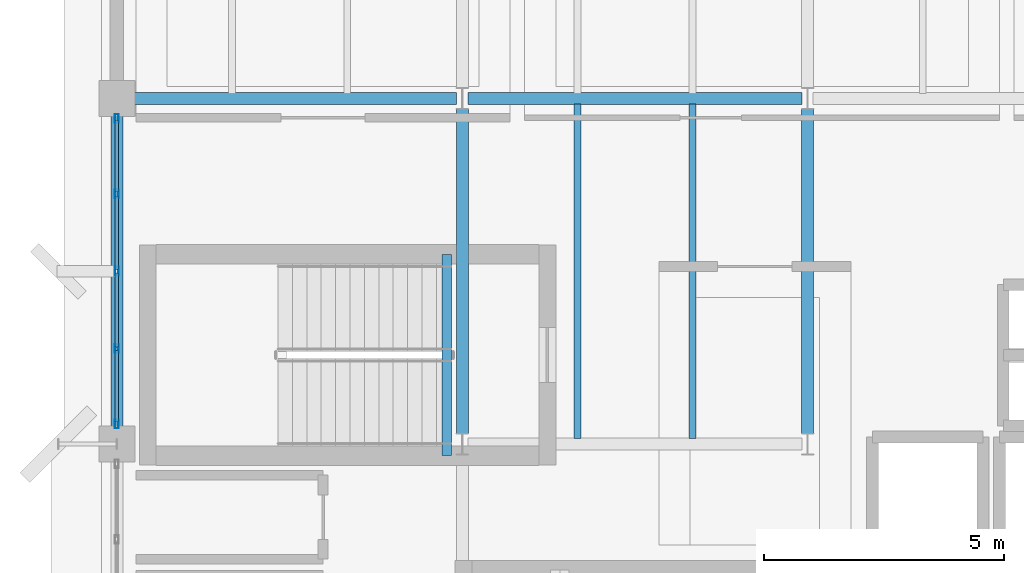
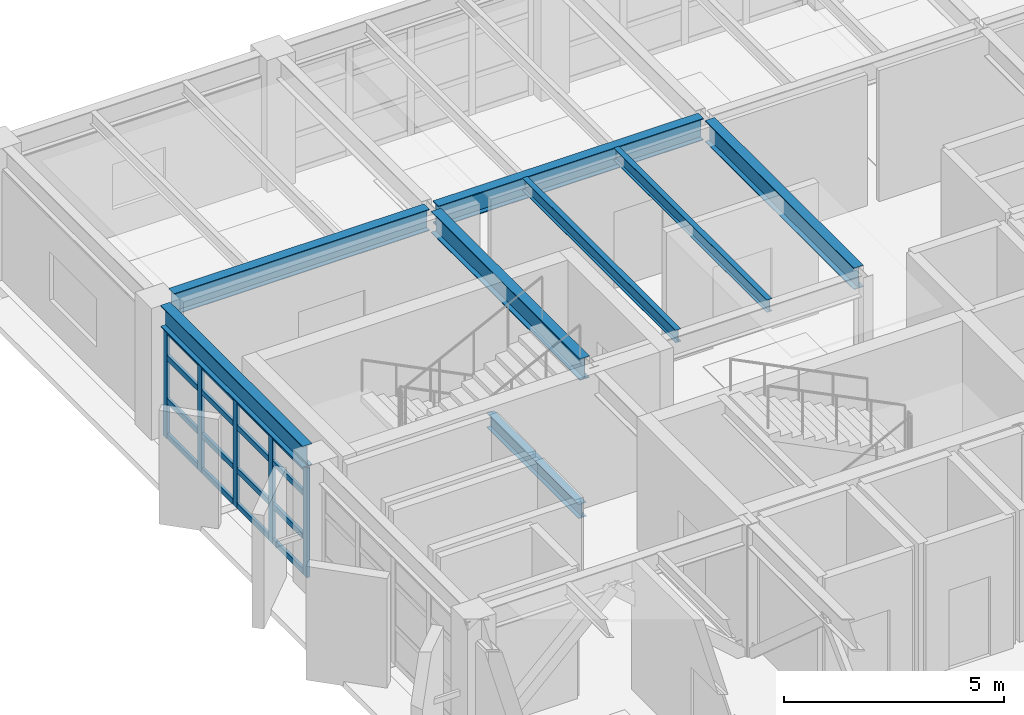
# One storey, part 8 of 32: 21 members, 8 beams, 1 element without a shape of its own.
"""IFC4 building model written with IfcOpenShell, lengths in metres."""

from ifc_helpers import new_model, si_unit, direction, frame, origin, origin_2d, place, context, subcontext, project, spatial, hollow_rectangle, i_section, extrude, material, layer, layer_set, material_profile, profile_set, type_object, element, aggregate, save


model = new_model("IFC4")

# Units and contexts
model_context = context("Model", 3, precision=1e-05, world=origin(), true_north=direction((0.0, 1.0)))
body_context = subcontext(model_context, "Body", "Model", "MODEL_VIEW")
ifc_project = project(units=[si_unit("LENGTHUNIT", "METRE"), si_unit("AREAUNIT", "SQUARE_METRE"), si_unit("VOLUMEUNIT", "CUBIC_METRE"), si_unit("PLANEANGLEUNIT", "RADIAN"), si_unit("MASSUNIT", "GRAM", prefix="KILO")], contexts=[model_context])

# Site, building, storey
site_placement = place(None, origin())
site = spatial("IfcSite", under=ifc_project, at=site_placement, CompositionType="ELEMENT")
building_placement = place(site_placement, origin())
building = spatial("IfcBuilding", under=site, at=building_placement, Name="Kandorven Conservatory and Botanical Research Centre", CompositionType="ELEMENT")
storey_placement = place(building_placement, frame((0.0, 0.0, 17.10009765625)))
storey = spatial("IfcBuildingStorey", under=building, at=storey_placement, Name="L04", CompositionType="ELEMENT", Elevation=17.10009765625)

# Beams
ifc_material_1 = material(Name="Steel S355 (IS 2062 E350)", Category="steel")
ifc_material_profile_1 = material_profile(ifc_material_1, i_section(OverallWidth=0.25, OverallDepth=0.60009765625, WebThickness=0.01171875, FlangeThickness=0.023681640625, at=origin_2d()))
ifc_profile_set_1 = profile_set([ifc_material_profile_1], Name="Steel S355 (IS 2062 E350)")
beam_type_1 = type_object("IfcBeamType", Name="Beam_FG-01", PredefinedType="USERDEFINED", material=ifc_profile_set_1)
beam_1_placement = place(storey_placement, frame((6.364990234375, 27.60009765625, 3.35986328125), z_axis=(1.0, 0.0, 0.0), x_axis=(0.0, 1.0, 0.0)))
element("IfcBeam", 1, at=beam_1_placement, inside=storey, type_object=beam_type_1, Name="Primary girder FG-01 TWR L04", ObjectType="GIRDER", PredefinedType="USERDEFINED", context=body_context, shape_type="SweptSolid", body=[
    extrude(i_section(OverallWidth=0.25, OverallDepth=0.60009765625, WebThickness=0.01171875, FlangeThickness=0.023681640625, at=origin_2d()), origin(), (0.0, 0.0, 1.0), 6.719970703125),
])
beam_2_placement = place(storey_placement, frame((13.31494140625, 27.60009765625, 3.35986328125), z_axis=(1.0, 0.0, 0.0), x_axis=(0.0, 1.0, 0.0)))
element("IfcBeam", 2, at=beam_2_placement, inside=storey, type_object=beam_type_1, Name="Primary girder FG-01 TWR L04", ObjectType="GIRDER", PredefinedType="USERDEFINED", context=body_context, shape_type="SweptSolid", body=[
    extrude(i_section(OverallWidth=0.25, OverallDepth=0.60009765625, WebThickness=0.01171875, FlangeThickness=0.023681640625, at=origin_2d()), origin(), (0.0, 0.0, 1.0), 6.969970703125),
])
beam_3_placement = place(storey_placement, frame((6.0, 20.764892578125, 3.35986328125), z_axis=(0.0, 1.0, 0.0), x_axis=(-1.0, 0.0, 0.0)))
element("IfcBeam", 3, at=beam_3_placement, inside=storey, type_object=beam_type_1, Name="Primary girder FG-01 TWR L04", ObjectType="GIRDER", PredefinedType="USERDEFINED", context=body_context, shape_type="SweptSolid", body=[
    extrude(i_section(OverallWidth=0.25, OverallDepth=0.60009765625, WebThickness=0.01171875, FlangeThickness=0.023681640625, at=origin_2d()), origin(), (0.0, 0.0, 1.0), 6.47021484375),
])
for number, where, z_axis, x_axis, name in (
    (4, (13.199951171875, 20.614990234375, 3.35986328125), (0.0, 1.0, 0.0), (-1.0, 0.0, 0.0), "Primary girder FG-01 TWR L04"),
    (5, (20.39990234375, 20.614990234375, 3.35986328125), (0.0, 1.0, 0.0), (-1.0, 0.0, 0.0), "Primary girder FG-01 TWR L04"),
):
    element("IfcBeam", number, at=place(storey_placement, frame(where, z_axis=z_axis, x_axis=x_axis)), inside=storey, type_object=beam_type_1, Name=name, ObjectType="GIRDER", PredefinedType="USERDEFINED", context=body_context, shape_type="SweptSolid", body=[
        extrude(i_section(OverallWidth=0.25, OverallDepth=0.60009765625, WebThickness=0.01171875, FlangeThickness=0.023681640625, at=origin_2d()), origin(), (0.0, 0.0, 1.0), 6.77001953125),
    ])
ifc_material_2 = material(Name="Steel S355 (IS 2062 E350)", Category="steel")
ifc_material_profile_2 = material_profile(ifc_material_2, i_section(OverallWidth=0.199951171875, OverallDepth=0.39990234375, WebThickness=0.008544921875, FlangeThickness=0.012939453125, at=origin_2d()))
ifc_profile_set_2 = profile_set([ifc_material_profile_2], Name="Steel S355 (IS 2062 E350)")
beam_type_2 = type_object("IfcBeamType", Name="Beam_FG-03", PredefinedType="USERDEFINED", material=ifc_profile_set_2)
beam_4_placement = place(storey_placement, frame((12.8798828125, 24.35009765625, -0.2001953125), z_axis=(0.0, -1.0, 0.0), x_axis=(1.0, 0.0, 0.0)))
element("IfcBeam", 6, at=beam_4_placement, inside=storey, type_object=beam_type_2, Name="Stair well bottom trimmer girder FG-03 ST-T2 L04", ObjectType="GIRDER", PredefinedType="USERDEFINED", context=body_context, shape_type="SweptSolid", body=[
    extrude(i_section(OverallWidth=0.199951171875, OverallDepth=0.39990234375, WebThickness=0.008544921875, FlangeThickness=0.012939453125, at=origin_2d()), origin(), (0.0, 0.0, 1.0), 4.190185546875),
])
ifc_material_3 = material(Name="Steel S355 (IS 2062 E350)", Category="steel")
ifc_material_profile_3 = material_profile(ifc_material_3, i_section(OverallWidth=0.139892578125, OverallDepth=0.35009765625, WebThickness=0.008056640625, FlangeThickness=0.01416015625, at=origin_2d()))
ifc_profile_set_3 = profile_set([ifc_material_profile_3], Name="Steel S355 (IS 2062 E350)")
beam_type_3 = type_object("IfcBeamType", Name="Beam_SB-06", PredefinedType="BEAM", material=ifc_profile_set_3)
for number, where, z_axis, x_axis, name in (
    (7, (15.60009765625, 20.510009765625, 3.48486328125), (0.0, 1.0, 0.0), (-1.0, 0.0, 0.0), "Composite secondary beam SB-06 TWR L04"),
    (8, (18.0, 20.510009765625, 3.48486328125), (0.0, 1.0, 0.0), (-1.0, 0.0, 0.0), "Composite secondary beam SB-06 TWR L04"),
):
    element("IfcBeam", number, at=place(storey_placement, frame(where, z_axis=z_axis, x_axis=x_axis)), inside=storey, type_object=beam_type_3, Name=name, PredefinedType="BEAM", context=body_context, shape_type="SweptSolid", body=[
        extrude(i_section(OverallWidth=0.139892578125, OverallDepth=0.35009765625, WebThickness=0.008056640625, FlangeThickness=0.01416015625, at=origin_2d()), origin(), (0.0, 0.0, 1.0), 6.97998046875),
    ])

# Curtain wall, members
ifc_material_4 = material(Name="Bronze anodised thermally broken aluminium", Category="aluminium")
ifc_layer = layer(ifc_material_4, 0.179931640625)
ifc_layer_set = layer_set([ifc_layer], Name="Bronze anodised thermally broken aluminium")
curtain_wall_type = type_object("IfcCurtainWallType", Name="CW_Unitised", PredefinedType="USERDEFINED", material=ifc_layer_set)
curtain_wall_placement = place(storey_placement, origin())
curtain_wall = element("IfcCurtainWall", 9, at=curtain_wall_placement, inside=storey, type_object=curtain_wall_type, Name="Tower laboratory curtain wall CW-TWR-W-L04-3", ObjectType="UNITISED GLAZING", PredefinedType="USERDEFINED")
ifc_material_5 = material(Name="Bronze anodised thermally broken aluminium", Category="aluminium")
ifc_material_profile_4 = material_profile(ifc_material_5, hollow_rectangle(XDim=0.080078125, YDim=0.179931640625, WallThickness=0.006103515625, at=origin_2d()))
ifc_profile_set_4 = profile_set([ifc_material_profile_4], Name="Bronze anodised thermally broken aluminium")
member_type_1 = type_object("IfcMemberType", Name="CW_Mullion", PredefinedType="MULLION", material=ifc_profile_set_4)
member_1_placement = place(storey_placement, frame((6.0, 20.81494140625, 0.0), z_axis=(0.0, 0.0, 1.0), x_axis=(-1.0, 0.0, 0.0)))
member_1 = element("IfcMember", 10, at=member_1_placement, type_object=member_type_1, Name="CW-01 mullion 1", PredefinedType="MULLION", context=body_context, shape_type="SweptSolid", body=[
    extrude(hollow_rectangle(XDim=0.080078125, YDim=0.179931640625, WallThickness=0.006103515625, at=origin_2d()), origin(), (0.0, 0.0, 1.0), 3.039794921875),
])
member_2_placement = place(storey_placement, frame((6.0, 22.387451171875, 0.0), z_axis=(0.0, 0.0, 1.0), x_axis=(-1.0, 0.0, 0.0)))
member_2 = element("IfcMember", 11, at=member_2_placement, type_object=member_type_1, Name="CW-01 mullion 2", PredefinedType="MULLION", context=body_context, shape_type="SweptSolid", body=[
    extrude(hollow_rectangle(XDim=0.080078125, YDim=0.179931640625, WallThickness=0.006103515625, at=origin_2d()), origin(), (0.0, 0.0, 1.0), 3.039794921875),
])
member_3_placement = place(storey_placement, frame((6.0, 24.0, 0.0), z_axis=(0.0, 0.0, 1.0), x_axis=(-1.0, 0.0, 0.0)))
member_3 = element("IfcMember", 12, at=member_3_placement, type_object=member_type_1, Name="CW-01 mullion 3", PredefinedType="MULLION", context=body_context, shape_type="SweptSolid", body=[
    extrude(hollow_rectangle(XDim=0.080078125, YDim=0.179931640625, WallThickness=0.006103515625, at=origin_2d()), origin(), (0.0, 0.0, 1.0), 3.039794921875),
])
member_4_placement = place(storey_placement, frame((6.0, 25.612548828125, 0.0), z_axis=(0.0, 0.0, 1.0), x_axis=(-1.0, 0.0, 0.0)))
member_4 = element("IfcMember", 13, at=member_4_placement, type_object=member_type_1, Name="CW-01 mullion 4", PredefinedType="MULLION", context=body_context, shape_type="SweptSolid", body=[
    extrude(hollow_rectangle(XDim=0.080078125, YDim=0.179931640625, WallThickness=0.006103515625, at=origin_2d()), origin(), (0.0, 0.0, 1.0), 3.039794921875),
])
member_5_placement = place(storey_placement, frame((6.0, 27.18505859375, 0.0), z_axis=(0.0, 0.0, 1.0), x_axis=(-1.0, 0.0, 0.0)))
member_5 = element("IfcMember", 14, at=member_5_placement, type_object=member_type_1, Name="CW-01 mullion 5", PredefinedType="MULLION", context=body_context, shape_type="SweptSolid", body=[
    extrude(hollow_rectangle(XDim=0.080078125, YDim=0.179931640625, WallThickness=0.006103515625, at=origin_2d()), origin(), (0.0, 0.0, 1.0), 3.039794921875),
])
ifc_material_6 = material(Name="Bronze anodised thermally broken aluminium", Category="aluminium")
ifc_material_profile_5 = material_profile(ifc_material_6, hollow_rectangle(XDim=0.074951171875, YDim=0.14990234375, WallThickness=0.006103515625, at=origin_2d()))
ifc_profile_set_5 = profile_set([ifc_material_profile_5], Name="Bronze anodised thermally broken aluminium")
member_type_2 = type_object("IfcMemberType", Name="CW_Transom", PredefinedType="USERDEFINED", material=ifc_profile_set_5)
member_6_placement = place(storey_placement, frame((6.0, 20.85498046875, 0.074951171875), z_axis=(0.0, 1.0, 0.0), x_axis=(-1.0, 0.0, 0.0)))
member_6 = element("IfcMember", 15, at=member_6_placement, type_object=member_type_2, Name="CW-01 transom 1.1", ObjectType="TRANSOM", PredefinedType="USERDEFINED", context=body_context, shape_type="SweptSolid", body=[
    extrude(hollow_rectangle(XDim=0.074951171875, YDim=0.14990234375, WallThickness=0.006103515625, at=origin_2d()), origin(), (0.0, 0.0, 1.0), 1.492431640625),
])
member_7_placement = place(storey_placement, frame((6.0, 20.85498046875, 1.0498046875), z_axis=(0.0, 1.0, 0.0), x_axis=(-1.0, 0.0, 0.0)))
member_7 = element("IfcMember", 16, at=member_7_placement, type_object=member_type_2, Name="CW-01 transom 1.2", ObjectType="TRANSOM", PredefinedType="USERDEFINED", context=body_context, shape_type="SweptSolid", body=[
    extrude(hollow_rectangle(XDim=0.074951171875, YDim=0.14990234375, WallThickness=0.006103515625, at=origin_2d()), origin(), (0.0, 0.0, 1.0), 1.492431640625),
])
member_8_placement = place(storey_placement, frame((6.0, 20.85498046875, 2.25), z_axis=(0.0, 1.0, 0.0), x_axis=(-1.0, 0.0, 0.0)))
member_8 = element("IfcMember", 17, at=member_8_placement, type_object=member_type_2, Name="CW-01 transom 1.3", ObjectType="TRANSOM", PredefinedType="USERDEFINED", context=body_context, shape_type="SweptSolid", body=[
    extrude(hollow_rectangle(XDim=0.074951171875, YDim=0.14990234375, WallThickness=0.006103515625, at=origin_2d()), origin(), (0.0, 0.0, 1.0), 1.492431640625),
])
member_9_placement = place(storey_placement, frame((6.0, 20.85498046875, 2.96484375), z_axis=(0.0, 1.0, 0.0), x_axis=(-1.0, 0.0, 0.0)))
member_9 = element("IfcMember", 18, at=member_9_placement, type_object=member_type_2, Name="CW-01 transom 1.4", ObjectType="TRANSOM", PredefinedType="USERDEFINED", context=body_context, shape_type="SweptSolid", body=[
    extrude(hollow_rectangle(XDim=0.074951171875, YDim=0.14990234375, WallThickness=0.006103515625, at=origin_2d()), origin(), (0.0, 0.0, 1.0), 1.492431640625),
])
member_10_placement = place(storey_placement, frame((6.0, 22.427490234375, 0.074951171875), z_axis=(0.0, 1.0, 0.0), x_axis=(-1.0, 0.0, 0.0)))
member_10 = element("IfcMember", 19, at=member_10_placement, type_object=member_type_2, Name="CW-01 transom 2.1", ObjectType="TRANSOM", PredefinedType="USERDEFINED", context=body_context, shape_type="SweptSolid", body=[
    extrude(hollow_rectangle(XDim=0.074951171875, YDim=0.14990234375, WallThickness=0.006103515625, at=origin_2d()), origin(), (0.0, 0.0, 1.0), 1.532470703125),
])
member_11_placement = place(storey_placement, frame((6.0, 22.427490234375, 1.0498046875), z_axis=(0.0, 1.0, 0.0), x_axis=(-1.0, 0.0, 0.0)))
member_11 = element("IfcMember", 20, at=member_11_placement, type_object=member_type_2, Name="CW-01 transom 2.2", ObjectType="TRANSOM", PredefinedType="USERDEFINED", context=body_context, shape_type="SweptSolid", body=[
    extrude(hollow_rectangle(XDim=0.074951171875, YDim=0.14990234375, WallThickness=0.006103515625, at=origin_2d()), origin(), (0.0, 0.0, 1.0), 1.532470703125),
])
member_12_placement = place(storey_placement, frame((6.0, 22.427490234375, 2.25), z_axis=(0.0, 1.0, 0.0), x_axis=(-1.0, 0.0, 0.0)))
member_12 = element("IfcMember", 21, at=member_12_placement, type_object=member_type_2, Name="CW-01 transom 2.3", ObjectType="TRANSOM", PredefinedType="USERDEFINED", context=body_context, shape_type="SweptSolid", body=[
    extrude(hollow_rectangle(XDim=0.074951171875, YDim=0.14990234375, WallThickness=0.006103515625, at=origin_2d()), origin(), (0.0, 0.0, 1.0), 1.532470703125),
])
member_13_placement = place(storey_placement, frame((6.0, 22.427490234375, 2.96484375), z_axis=(0.0, 1.0, 0.0), x_axis=(-1.0, 0.0, 0.0)))
member_13 = element("IfcMember", 22, at=member_13_placement, type_object=member_type_2, Name="CW-01 transom 2.4", ObjectType="TRANSOM", PredefinedType="USERDEFINED", context=body_context, shape_type="SweptSolid", body=[
    extrude(hollow_rectangle(XDim=0.074951171875, YDim=0.14990234375, WallThickness=0.006103515625, at=origin_2d()), origin(), (0.0, 0.0, 1.0), 1.532470703125),
])
member_14_placement = place(storey_placement, frame((6.0, 24.0400390625, 0.074951171875), z_axis=(0.0, 1.0, 0.0), x_axis=(-1.0, 0.0, 0.0)))
member_14 = element("IfcMember", 23, at=member_14_placement, type_object=member_type_2, Name="CW-01 transom 3.1", ObjectType="TRANSOM", PredefinedType="USERDEFINED", context=body_context, shape_type="SweptSolid", body=[
    extrude(hollow_rectangle(XDim=0.074951171875, YDim=0.14990234375, WallThickness=0.006103515625, at=origin_2d()), origin(), (0.0, 0.0, 1.0), 1.532470703125),
])
member_15_placement = place(storey_placement, frame((6.0, 24.0400390625, 1.0498046875), z_axis=(0.0, 1.0, 0.0), x_axis=(-1.0, 0.0, 0.0)))
member_15 = element("IfcMember", 24, at=member_15_placement, type_object=member_type_2, Name="CW-01 transom 3.2", ObjectType="TRANSOM", PredefinedType="USERDEFINED", context=body_context, shape_type="SweptSolid", body=[
    extrude(hollow_rectangle(XDim=0.074951171875, YDim=0.14990234375, WallThickness=0.006103515625, at=origin_2d()), origin(), (0.0, 0.0, 1.0), 1.532470703125),
])
member_16_placement = place(storey_placement, frame((6.0, 24.0400390625, 2.25), z_axis=(0.0, 1.0, 0.0), x_axis=(-1.0, 0.0, 0.0)))
member_16 = element("IfcMember", 25, at=member_16_placement, type_object=member_type_2, Name="CW-01 transom 3.3", ObjectType="TRANSOM", PredefinedType="USERDEFINED", context=body_context, shape_type="SweptSolid", body=[
    extrude(hollow_rectangle(XDim=0.074951171875, YDim=0.14990234375, WallThickness=0.006103515625, at=origin_2d()), origin(), (0.0, 0.0, 1.0), 1.532470703125),
])
member_17_placement = place(storey_placement, frame((6.0, 24.0400390625, 2.96484375), z_axis=(0.0, 1.0, 0.0), x_axis=(-1.0, 0.0, 0.0)))
member_17 = element("IfcMember", 26, at=member_17_placement, type_object=member_type_2, Name="CW-01 transom 3.4", ObjectType="TRANSOM", PredefinedType="USERDEFINED", context=body_context, shape_type="SweptSolid", body=[
    extrude(hollow_rectangle(XDim=0.074951171875, YDim=0.14990234375, WallThickness=0.006103515625, at=origin_2d()), origin(), (0.0, 0.0, 1.0), 1.532470703125),
])
member_18_placement = place(storey_placement, frame((6.0, 25.652587890625, 0.074951171875), z_axis=(0.0, 1.0, 0.0), x_axis=(-1.0, 0.0, 0.0)))
member_18 = element("IfcMember", 27, at=member_18_placement, type_object=member_type_2, Name="CW-01 transom 4.1", ObjectType="TRANSOM", PredefinedType="USERDEFINED", context=body_context, shape_type="SweptSolid", body=[
    extrude(hollow_rectangle(XDim=0.074951171875, YDim=0.14990234375, WallThickness=0.006103515625, at=origin_2d()), origin(), (0.0, 0.0, 1.0), 1.492431640625),
])
member_19_placement = place(storey_placement, frame((6.0, 25.652587890625, 1.0498046875), z_axis=(0.0, 1.0, 0.0), x_axis=(-1.0, 0.0, 0.0)))
member_19 = element("IfcMember", 28, at=member_19_placement, type_object=member_type_2, Name="CW-01 transom 4.2", ObjectType="TRANSOM", PredefinedType="USERDEFINED", context=body_context, shape_type="SweptSolid", body=[
    extrude(hollow_rectangle(XDim=0.074951171875, YDim=0.14990234375, WallThickness=0.006103515625, at=origin_2d()), origin(), (0.0, 0.0, 1.0), 1.492431640625),
])
member_20_placement = place(storey_placement, frame((6.0, 25.652587890625, 2.25), z_axis=(0.0, 1.0, 0.0), x_axis=(-1.0, 0.0, 0.0)))
member_20 = element("IfcMember", 29, at=member_20_placement, type_object=member_type_2, Name="CW-01 transom 4.3", ObjectType="TRANSOM", PredefinedType="USERDEFINED", context=body_context, shape_type="SweptSolid", body=[
    extrude(hollow_rectangle(XDim=0.074951171875, YDim=0.14990234375, WallThickness=0.006103515625, at=origin_2d()), origin(), (0.0, 0.0, 1.0), 1.492431640625),
])
member_21_placement = place(storey_placement, frame((6.0, 25.652587890625, 2.96484375), z_axis=(0.0, 1.0, 0.0), x_axis=(-1.0, 0.0, 0.0)))
member_21 = element("IfcMember", 30, at=member_21_placement, type_object=member_type_2, Name="CW-01 transom 4.4", ObjectType="TRANSOM", PredefinedType="USERDEFINED", context=body_context, shape_type="SweptSolid", body=[
    extrude(hollow_rectangle(XDim=0.074951171875, YDim=0.14990234375, WallThickness=0.006103515625, at=origin_2d()), origin(), (0.0, 0.0, 1.0), 1.492431640625),
])
aggregate(curtain_wall, [member_1, member_2, member_3, member_4, member_5, member_6, member_7, member_8, member_9, member_10, member_11, member_12, member_13, member_14, member_15, member_16, member_17, member_18, member_19, member_20, member_21])

save(model, "model.ifc")
